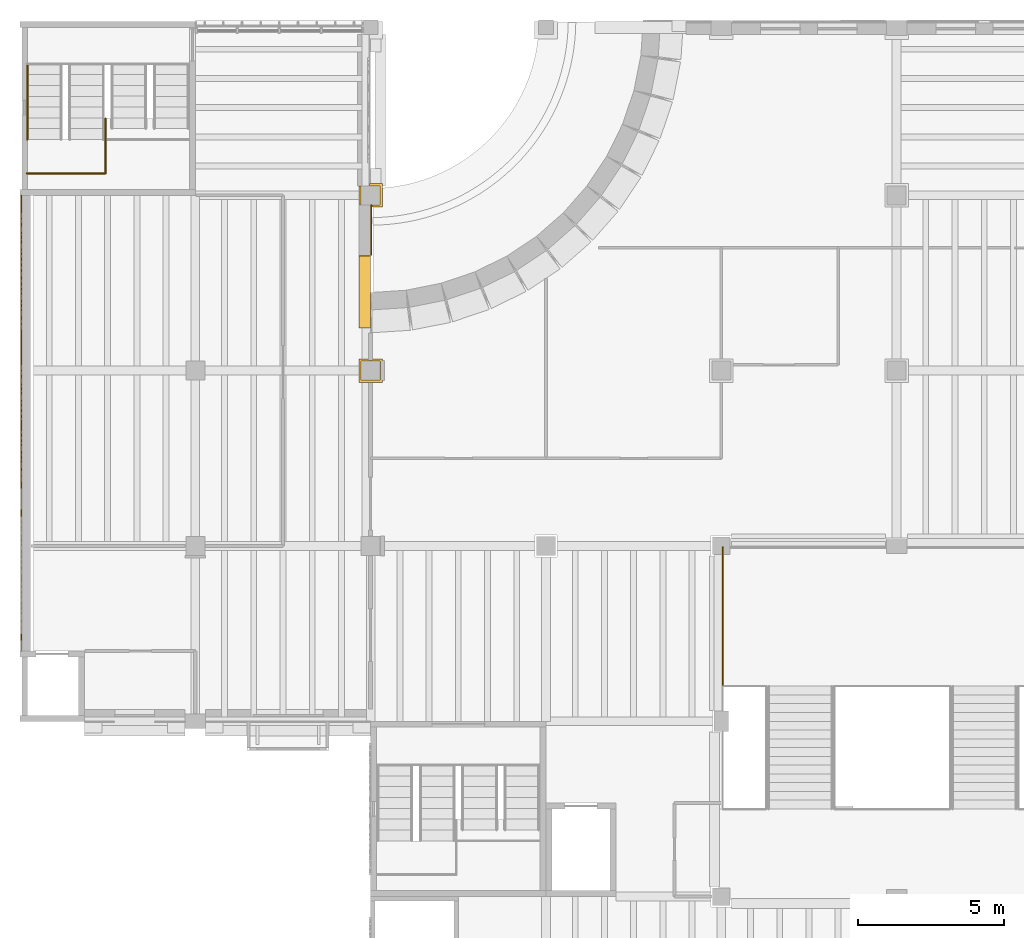
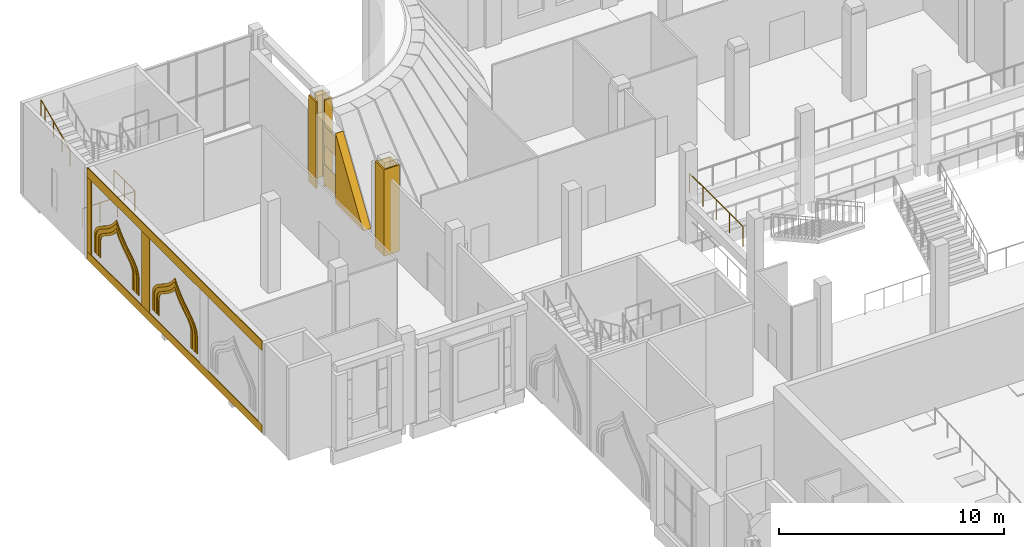
# One storey, part 75 of 80: 16 coverings, 4 railings.
"""IFC4 building model written with IfcOpenShell, lengths in metres."""

from ifc_helpers import new_model, si_unit, direction, frame, origin, origin_2d, place, context, subcontext, project, spatial, polyline, rectangle, circle, outline, extrude, material, layer, layer_set, type_object, element, save


model = new_model("IFC4")

# Units and contexts
model_context = context("Model", 3, precision=1e-05, world=origin(), true_north=direction((0.0, 1.0)))
body_context = subcontext(model_context, "Body", "Model", "MODEL_VIEW")
ifc_project = project(units=[si_unit("LENGTHUNIT", "METRE"), si_unit("AREAUNIT", "SQUARE_METRE"), si_unit("VOLUMEUNIT", "CUBIC_METRE"), si_unit("PLANEANGLEUNIT", "RADIAN"), si_unit("MASSUNIT", "GRAM", prefix="KILO")], contexts=[model_context])

# Site, building, storey
site_placement = place(None, origin())
site = spatial("IfcSite", under=ifc_project, at=site_placement, CompositionType="ELEMENT")
building_placement = place(site_placement, origin())
building = spatial("IfcBuilding", under=site, at=building_placement, Name="Saffron Lane Theatres", CompositionType="ELEMENT")
storey_placement = place(building_placement, frame((0.0, 0.0, 7.0)))
storey = spatial("IfcBuildingStorey", under=building, at=storey_placement, Name="L01", CompositionType="ELEMENT", Elevation=7.0)

# Coverings
ifc_material_1 = material(Name="Masonry pale clay brick", Category="masonry")
ifc_layer_1 = layer(ifc_material_1, 0.39990234375)
ifc_layer_set_1 = layer_set([ifc_layer_1], Name="Masonry pale clay brick")
covering_type_1 = type_object("IfcCoveringType", Name="EX-END INFILL CLADDING BRICK 400", PredefinedType="CLADDING", material=ifc_layer_set_1)
covering_1_placement = place(storey_placement, frame((12.0, 117.947265625, 0.25), z_axis=(1.0, 0.0, 0.0), x_axis=(0.0, 0.0, 1.0)))
element("IfcCovering", 1, at=covering_1_placement, inside=storey, type_object=covering_type_1, Name="Wall end infill L01 05", PredefinedType="CLADDING", context=body_context, shape_type="SweptSolid", body=[
    extrude(outline(polyline([(0.0, 0.0), (3.800048828125, 0.0), (3.800048828125, 0.02001953125), (0.0, 2.491943359375), (0.0, 0.0)])), origin(), (0.0, 0.0, -1.0), 0.39990234375),
])
ifc_material_2 = material(Name="Face brick cladding, pale buff", Category="masonry")
ifc_layer_2 = layer(ifc_material_2, 0.0400390625)
ifc_layer_set_2 = layer_set([ifc_layer_2], Name="Face brick cladding, pale buff")
covering_type_2 = type_object("IfcCoveringType", Name="EX-FACE BRICK CLADDING PALE BUFF 40", PredefinedType="CLADDING", material=ifc_layer_set_2)
for number, where, z_axis, x_axis, name in (
    (2, (12.02001953125, 118.81103515625, 0.14990234375), (0.0, 0.0, 1.0), (0.0, -1.0, 0.0), "Cladding course L01"),
    (3, (12.02001953125, 118.81103515625, 2.25), (0.0, 0.0, 1.0), (0.0, -1.0, 0.0), "Cladding course L01"),
):
    element("IfcCovering", number, at=place(storey_placement, frame(where, z_axis=z_axis, x_axis=x_axis)), inside=storey, type_object=covering_type_2, Name=name, PredefinedType="CLADDING", context=body_context, shape_type="SweptSolid", body=[
        extrude(rectangle(XDim=1.72802734375, YDim=0.0400390625, at=origin_2d()), origin(), (0.0, 0.0, 1.0), 1.050048828125),
    ])
ifc_material_3 = material(Name="Face brick cladding, pale buff", Category="masonry")
ifc_layer_3 = layer(ifc_material_3, 0.0400390625)
ifc_layer_set_3 = layer_set([ifc_layer_3], Name="Face brick cladding, pale buff")
covering_type_3 = type_object("IfcCoveringType", Name="EX-FACE BRICK SKIN PALE BUFF 40", PredefinedType="CLADDING", material=ifc_layer_set_3)
covering_2_placement = place(storey_placement, frame((0.0400390625, 112.199951171875, 0.0), z_axis=(0.0, 0.0, 1.0), x_axis=(0.0, 1.0, 0.0)))
element("IfcCovering", 4, at=covering_2_placement, inside=storey, type_object=covering_type_3, Name="Face brick cladding, pale buff L01", PredefinedType="CLADDING", context=body_context, shape_type="SweptSolid", body=[
    extrude(rectangle(XDim=15.60009765625, YDim=0.0400390625, at=origin_2d()), origin(), (0.0, 0.0, 1.0), 0.449951171875),
])
covering_3_placement = place(storey_placement, frame((0.0400390625, 112.199951171875, 4.5), z_axis=(0.0, 0.0, 1.0), x_axis=(0.0, 1.0, 0.0)))
element("IfcCovering", 5, at=covering_3_placement, inside=storey, type_object=covering_type_3, Name="Face brick cladding, pale buff L01", PredefinedType="CLADDING", context=body_context, shape_type="SweptSolid", body=[
    extrude(rectangle(XDim=15.60009765625, YDim=0.0400390625, at=origin_2d()), origin(), (0.0, 0.0, 1.0), 0.5),
])
covering_4_placement = place(storey_placement, frame((0.0400390625, 114.800048828125, 0.4501953125), z_axis=(0.0, 0.0, 1.0), x_axis=(0.0, 1.0, 0.0)))
element("IfcCovering", 6, at=covering_4_placement, inside=storey, type_object=covering_type_3, Name="Face brick cladding, pale buff L01", PredefinedType="CLADDING", context=body_context, shape_type="SweptSolid", body=[
    extrude(rectangle(XDim=0.699951171875, YDim=0.0400390625, at=origin_2d()), origin(), (0.0, 0.0, 1.0), 4.050048828125),
])
covering_5_placement = place(storey_placement, frame((0.0400390625, 119.824951171875, 0.4501953125), z_axis=(0.0, 0.0, 1.0), x_axis=(0.0, 1.0, 0.0)))
element("IfcCovering", 7, at=covering_5_placement, inside=storey, type_object=covering_type_3, Name="Face brick cladding, pale buff L01", PredefinedType="CLADDING", context=body_context, shape_type="SweptSolid", body=[
    extrude(rectangle(XDim=0.35009765625, YDim=0.0400390625, at=origin_2d()), origin(), (0.0, 0.0, 1.0), 4.050048828125),
])
ifc_material_4 = material(Name="Face brick cladding, pale buff", Category="masonry")
ifc_layer_4 = layer(ifc_material_4, 0.0400390625)
ifc_layer_set_4 = layer_set([ifc_layer_4], Name="Face brick cladding, pale buff")
covering_type_4 = type_object("IfcCoveringType", Name="EX-NICHE FRAME RING FACE BRICK PALE BUFF", PredefinedType="CLADDING", material=ifc_layer_set_4)
covering_6_placement = place(storey_placement, frame((0.06005859375, 110.669921875, 1.779052734375), z_axis=(1.0, 0.0, 0.0), x_axis=(0.0, -0.07860220859, -0.996906060171)))
element("IfcCovering", 8, at=covering_6_placement, inside=storey, type_object=covering_type_4, Name="Court wall niche ring", PredefinedType="CLADDING", context=body_context, shape_type="SweptSolid", body=[
    extrude(outline(polyline([(0.0, 0.0), (0.12734712935568301, 0.0), (0.9767617167568374, 0.0669730732373987), (0.967320240529674, 0.18671862538678782), (0.12204320269465704, 0.12007178201902688), (0.010592875767061343, 0.12034559044619773), (-0.08499107189102162, 0.13680919972095837), (-0.17081246198683145, 0.1692262453036143), (-0.2496192078125393, 0.215175979868819), (-0.32465207782922384, 0.2753824745906466), (-0.3966604178350056, 0.3500315447606985), (-0.4695323074957109, 0.4356329520175847), (-0.5444654831619896, 0.5318473611310508), (-0.6230485017600262, 0.6370801305431976), (-0.707036545515275, 0.7487438876294084), (-0.799536052942493, 0.8658590066835835), (-0.9023405862517979, 0.986324885618299), (-1.0182556287123556, 1.1084509329139975), (-1.1481395814445619, 1.2307000769897745), (-1.2952079382854487, 1.3503698052670239), (-1.4012003505647719, 1.4242985486517494), (-1.3080268531629793, 1.5129511646893652), (-1.1816261180632612, 1.6554073706903518), (-1.07248654704155, 1.796257701967196), (-0.9771623663528345, 1.935284047875348), (-0.8944881349994125, 2.0701293156981713), (-0.8214856597811334, 2.2002936295378572), (-0.7560351486182421, 2.3237400419156904), (-0.6949150230419914, 2.4399878669261943), (-0.636005490972626, 2.547000157090655), (-0.5774493355913188, 2.642964160206623), (-0.5180104405627566, 2.72773244096716), (-0.4533593563974855, 2.799197376555941), (-0.3827275473050532, 2.8569297664127684), (-0.3030277647630343, 2.9021526215123385), (-0.211224245594283, 2.9336359101510525), (-0.10119397809922812, 2.95137261160001), (0.7440830597357888, 3.018019454967771), (0.7346607735009572, 3.1375216218485633), (-0.11475381390019726, 3.0705485486111646), (-0.24052736388468637, 3.0505909565862663), (-0.35280145633676196, 3.01161608216072), (-0.4508520200823499, 2.9568646937956045), (-0.5363635620092929, 2.8859590762760012), (-0.6111034336064749, 2.8026782539454618), (-0.6779407727517719, 2.7092449895743025), (-0.7401547278909256, 2.606870124873789), (-0.8007810622010818, 2.496783691547519), (-0.8616769925010678, 2.380798441797943), (-0.927185073640954, 2.258082185225899), (-0.9984899366107739, 2.1312353998166182), (-1.0785505846183463, 2.0005145761993157), (-1.1694100497740998, 1.866983120778319), (-1.2741424752398438, 1.7323578357944192), (-1.3946949431643483, 1.5964852013089632), (-1.5886070073839378, 1.4095222545563921), (-1.3678097639077307, 1.25550244000552), (-1.227453223896981, 1.140201477299574), (-1.102916726344992, 1.0236531650920726), (-0.9922339991106616, 0.9057676380530715), (-0.8926955088864819, 0.78945241404511), (-0.8023733635160138, 0.6751043982754378), (-0.7184620797300917, 0.5644141822636122), (-0.6401224464006514, 0.45916222285913383), (-0.562992718685291, 0.35993732519256866), (-0.48552271964248905, 0.26882090135900855), (-0.40484939602608483, 0.186773387072222), (-0.3180006392676425, 0.11647810491848354), (-0.22243354135892388, 0.05984984169361529), (-0.11699483056565724, 0.020897901649148194), (0.0, 0.0)])), origin(), (0.0, 0.0, -1.0), 0.0400390625),
])
covering_7_placement = place(storey_placement, frame((0.06005859375, 110.412109375, 1.802978515625), z_axis=(1.0, 0.0, 0.0), x_axis=(0.0, -0.081693239445, -0.996657521232)))
element("IfcCovering", 9, at=covering_7_placement, inside=storey, type_object=covering_type_4, Name="Court wall niche ring", PredefinedType="CLADDING", context=body_context, shape_type="SweptSolid", body=[
    extrude(outline(polyline([(0.0, 0.0), (0.14942523191503276, 1.734723475976807e-18), (1.00057464824087, 0.06976634560047847), (0.9842200446409866, 0.2692925095190567), (0.14110033978992134, 0.20018433699028082), (0.01667371781646655, 0.20002876880969656), (-0.0871500925488424, 0.2174843164567917), (-0.18012401955032623, 0.2519965189802531), (-0.2656546074500094, 0.30328615144057053), (-0.34850862485810197, 0.3697376981162921), (-0.4304691224597618, 0.4521848448982412), (-0.5135864090965354, 0.5487448179085775), (-0.5987340599363188, 0.6581212156424322), (-0.6889157375427006, 0.7781081610776748), (-0.7856751569384014, 0.9066194450233932), (-0.8930690576017336, 1.0423427102638896), (-1.0119949482668373, 1.1812850401641677), (-1.1458194839186642, 1.3226805606044283), (-1.2970197886634405, 1.4638766346593246), (-1.468882738931972, 1.6031340898484787), (-1.5592838075622546, 1.6660275130092987), (-1.4803309614518905, 1.7428024045914834), (-1.3334586432695223, 1.9084306608535226), (-1.2072489706109093, 2.0721202982498195), (-1.0982555099369544, 2.2336638925395955), (-1.0035224658165562, 2.3898742904847263), (-0.9196632386262271, 2.5412740416148667), (-0.8451221465601241, 2.683826351090241), (-0.7756828930316433, 2.8168969794053904), (-0.7094826488014809, 2.938678942308913), (-0.6431986370894655, 3.0474849233806256), (-0.5757777809808727, 3.142421402814095), (-0.5048506574175733, 3.2214779610448487), (-0.4287937728227006, 3.28576750890322), (-0.3426808014777532, 3.3349589653895038), (-0.24310519912070672, 3.36933155544321), (-0.12031403750724023, 3.389439740015652), (0.722805667343825, 3.458547912544428), (0.7064710083824779, 3.6578307518728614), (-0.14467840794335934, 3.588064406272383), (-0.2921291206432842, 3.563975271848067), (-0.4257621877651612, 3.5177475886482985), (-0.5436709018649064, 3.4500275629616595), (-0.6450973666781348, 3.366511383554157), (-0.7324748281062927, 3.2669996040404268), (-0.810681744735394, 3.157216335680429), (-0.8822311410210304, 3.037935430449376), (-0.9519256859227777, 2.9109678615263785), (-1.0222385146191546, 2.7766008317063604), (-1.0959658654329707, 2.6360748975062887), (-1.1763507365902517, 2.490104076985768), (-1.26655235883517, 2.341368929564096), (-1.3694706826109242, 2.1893867949886916), (-1.488368650782077, 2.0351150159093025), (-1.6242155727814993, 1.8814136534920565), (-1.8721992304882198, 1.6403787078514327), (-1.5882753341388285, 1.4429427420514738), (-1.4292128528829864, 1.3134142815403969), (-1.286800155877367, 1.180806368839293), (-1.1605067157369011, 1.0476120837652179), (-1.0472690359823909, 0.9153073295698678), (-0.9441871661706377, 0.7843747665058253), (-0.8485606022438069, 0.657730300727118), (-0.757325847722701, 0.5368498354854427), (-0.6678661660313384, 0.42268273557513436), (-0.5778480344609556, 0.3166450703322802), (-0.4828277875456326, 0.22130570920037423), (-0.38049184721514234, 0.13832404610564847), (-0.2667196511478555, 0.07122230421363882), (-0.13935717838183623, 0.02360647417173422), (0.0, 0.0)])), origin(), (0.0, 0.0, -1.0), 0.0400390625),
])
covering_8_placement = place(storey_placement, frame((0.06005859375, 110.212890625, 1.81591796875), z_axis=(1.0, 0.0, 0.0), x_axis=(0.0, -0.079210598084, -0.996857904193)))
element("IfcCovering", 10, at=covering_8_placement, inside=storey, type_object=covering_type_4, Name="Court wall niche ring", PredefinedType="CLADDING", context=body_context, shape_type="SweptSolid", body=[
    extrude(outline(polyline([(0.0, 0.0), (0.16335507416867354, 0.0), (1.0137021242782236, 0.0675688060806689), (1.0026018109724697, 0.20726520183421263), (0.15833909865706358, 0.14017985887661663), (0.011931504999610506, 0.1395672290021718), (-0.11423558574229535, 0.1616251883826444), (-0.2258484296516488, 0.20394262432575838), (-0.32921539950943657, 0.2657733616717522), (-0.42787106684260745, 0.3453670814761876), (-0.5227502486483787, 0.4421596826158413), (-0.6178355864273849, 0.5538754220728979), (-0.7152594262107489, 0.6796101325877536), (-0.8163079623447591, 0.8170574214049793), (-0.9263467233009529, 0.9628520203101587), (-1.0466619034256186, 1.1146875365478628), (-1.1797065763613368, 1.272613958380628), (-1.3297180683331982, 1.4313963835996037), (-1.498848063897249, 1.5903740184569524), (-1.689804321420526, 1.7466376920241753), (-1.8342397504136703, 1.8475745755425927), (-1.707557087299763, 1.970054575825139), (-1.5436747646685685, 2.1545138187299737), (-1.4017927507209065, 2.338449461950575), (-1.278797178066359, 2.5196598326683595), (-1.1722849613248818, 2.695641868978211), (-1.0774772955735423, 2.8648160147595387), (-0.9918437530700687, 3.026158787702743), (-0.9137500460195598, 3.177595857351469), (-0.8374051984021744, 3.317138274661287), (-0.7611749224230115, 3.442711709175842), (-0.6827721638515647, 3.553273340060612), (-0.5979048647884331, 3.6472049341451607), (-0.5056188697114762, 3.7248272190409444), (-0.4020895292199017, 3.784239911015917), (-0.28098913200779985, 3.825945811718072), (-0.1363220055934092, 3.848462057651435), (0.7079407067219969, 3.915547400609031), (0.696859731941166, 4.055000422850808), (-0.15348731816838404, 3.98743161677014), (-0.31479250869522846, 3.9616340245229695), (-0.4595034204490672, 3.9119292720593015), (-0.5860131314721546, 3.8396695966124255), (-0.6960912992338517, 3.7486329432210543), (-0.7918589585525908, 3.640854965291698), (-0.8787170310492967, 3.519580156477461), (-0.95829980451887, 3.3868828472346983), (-1.036282223831615, 3.243291745537245), (-1.1165469539630926, 3.0914372556524468), (-1.2001448430600579, 2.932215517527675), (-1.2931795674415774, 2.7653864415516223), (-1.396914699028558, 2.594523276301084), (-1.5146301246234921, 2.420834862022656), (-1.6509886179997748, 2.244440513766335), (-1.8085979609993696, 2.067337207888783), (-2.0535192845146164, 1.8301505645870453), (-1.7742140636864248, 1.6346191039692692), (-1.5906330817153536, 1.4848717835454115), (-1.4281289026432882, 1.332225143894431), (-1.2844418380768778, 1.1790629318714494), (-1.1550251453922646, 1.0267260734970645), (-1.0368116615611085, 0.8766828371541032), (-0.9291373089351127, 0.7329045531305093), (-0.8258984111952106, 0.5956313110375898), (-0.7262181669189538, 0.46615733253386527), (-0.6266586972040081, 0.34744980412260273), (-0.5217577809542215, 0.2416571264593896), (-0.410151869723614, 0.1501121982525921), (-0.2870782132137173, 0.07760185173737502), (-0.1507445315297886, 0.026227783207247793), (0.0, 0.0)])), origin(), (0.0, 0.0, -1.0), 0.0400390625),
])
covering_9_placement = place(storey_placement, frame((0.06005859375, 115.8701171875, 1.779052734375), z_axis=(1.0, 0.0, 0.0), x_axis=(0.0, -0.07860220859, -0.996906060171)))
element("IfcCovering", 11, at=covering_9_placement, inside=storey, type_object=covering_type_4, Name="Court wall niche ring", PredefinedType="CLADDING", context=body_context, shape_type="SweptSolid", body=[
    extrude(outline(polyline([(0.0, 0.0), (0.12734712935568301, 0.0), (0.9767617167568374, 0.0669730732373987), (0.9673394305220057, 0.1864752401181915), (0.12206239268698868, 0.11982839675043055), (0.010612065759392976, 0.12010220517760141), (-0.08497188189869, 0.13656581445236204), (-0.1707932719944998, 0.16898286003501797), (-0.24960001782020766, 0.21493259460022268), (-0.3246328878368922, 0.2751390893220503), (-0.39664122784267397, 0.3497881594921022), (-0.46951311750337926, 0.4353895667489884), (-0.5444654831619896, 0.5318473611310508), (-0.6230293117676946, 0.6368367452746012), (-0.707036545515275, 0.7487438876294084), (-0.7995168629501613, 0.8656156214149872), (-0.9023213962594663, 0.9860815003497027), (-1.018236438720024, 1.1082075476454012), (-1.1481203914522302, 1.2304566917211783), (-1.2952846982547752, 1.351343346341409), (-1.4011811605724402, 1.424055163383153), (-1.3080844231399742, 1.5136813204951542), (-1.1816069280709296, 1.6551639854217555), (-1.07248654704155, 1.796257701967196), (-0.9771431763605029, 1.9350406626067516), (-0.8944689450070809, 2.069885930429575), (-0.8214664697888018, 2.200050244269261), (-0.7560351486182421, 2.3237400419156904), (-0.6948958330496597, 2.439744481657598), (-0.6359863009802944, 2.5467567718220585), (-0.5774301455989872, 2.642720774938027), (-0.5179912505704249, 2.727489055698564), (-0.45334016640515384, 2.7989539912873447), (-0.38270835731272157, 2.8566863811441725), (-0.3030277647630343, 2.9021526215123385), (-0.21120505560195135, 2.933392524882456), (-0.10117478810689648, 2.9511292263314135), (0.7441022497281204, 3.0177760696991744), (0.7346799634932888, 3.137278236579967), (-0.11473462390786562, 3.070305163342568), (-0.24050817389235477, 3.05034757131767), (-0.35278226634443033, 3.0113726968921237), (-0.4508328300900183, 2.956621308527008), (-0.5363443720169613, 2.885715691007405), (-0.6110842436141433, 2.802434868676866), (-0.6779215827594403, 2.709001604305706), (-0.7401547278909256, 2.606870124873789), (-0.8007810622010818, 2.496783691547519), (-0.8616578025087362, 2.3805550565293467), (-0.927185073640954, 2.258082185225899), (-0.9984707466184423, 2.130992014548022), (-1.0785313946260147, 2.0002711909307194), (-1.1693908597817682, 1.8667397355097228), (-1.2741232852475122, 1.7321144505258228), (-1.3946757531720166, 1.5962418160403669), (-1.5885878173916061, 1.4092788692877958), (-1.367790573915399, 1.2552590547369236), (-1.2274340339046494, 1.139958092030978), (-1.1028975363526603, 1.0234097798234763), (-0.9922339991106616, 0.9057676380530715), (-0.8926763188941502, 0.7892090287765138), (-0.8023541735236822, 0.6748610130068415), (-0.71844288973776, 0.5641707969950158), (-0.6401032564083198, 0.4589188375905376), (-0.5629735286929594, 0.35969393992397236), (-0.4855035296501574, 0.2685775160904122), (-0.40483020603375325, 0.18653000180362567), (-0.31798144927531086, 0.11623471964988721), (-0.22241435136659224, 0.05960645642501897), (-0.11697564057332561, 0.020654516380551876), (0.0, 0.0)])), origin(), (0.0, 0.0, -1.0), 0.0400390625),
])
covering_10_placement = place(storey_placement, frame((0.06005859375, 115.612060546875, 1.802978515625), z_axis=(1.0, 0.0, 0.0), x_axis=(0.0, -0.080069955876, -0.996789246614)))
element("IfcCovering", 12, at=covering_10_placement, inside=storey, type_object=covering_type_4, Name="Court wall niche ring", PredefinedType="CLADDING", context=body_context, shape_type="SweptSolid", body=[
    extrude(outline(polyline([(0.0, 0.0), (0.14940548541813506, 0.0), (1.0006673957348182, 0.06838005509101226), (0.9846573142255162, 0.26768923306395787), (0.14142617664766952, 0.19995427283229475), (0.016999466327598998, 0.2000013484002621), (-0.08679577791254421, 0.21762596231264783), (-0.17971337438829993, 0.2522895381562662), (-0.26516031759493225, 0.30371839932412054), (-0.34790600088031953, 0.3703047954864786), (-0.4297321148083785, 0.4528853153384889), (-0.5126920318225663, 0.5495805266708786), (-0.5976614372761738, 0.6590954524190548), (-0.6876671306113052, 0.7794724670574595), (-0.7842953191011652, 0.9091145917846245), (-0.8913898425539354, 1.0440391537614138), (-1.010069743072568, 1.1829316275941626), (-1.1436638218360429, 1.3245449096772277), (-1.2946339714708552, 1.465987044144547), (-1.4662894448269137, 1.6057675706408159), (-1.5565684158235504, 1.6685647825272933), (-1.4774906373847039, 1.7452109881969793), (-1.3303487686839142, 1.9105998257765027), (-1.2038726753752989, 2.074083698635314), (-1.0946162663054522, 2.2354495698810855), (-0.999628940621098, 2.3915054766383363), (-0.9155232521560439, 2.5427684522637257), (-0.8407500955677709, 2.685199173658359), (-0.7710942127957453, 2.818156535417801), (-0.7047152682888366, 2.940073878597917), (-0.6382345926816595, 3.048528407230354), (-0.5706592106464958, 3.143354957881735), (-0.49960342814567843, 3.222295898017083), (-0.42346148957693114, 3.286704849688206), (-0.3372685183016637, 3.335755995728218), (-0.2376175198246122, 3.3697230127441156), (-0.11479377248837902, 3.389631190648409), (0.7284373650894675, 3.4573661508800724), (0.7124272835801655, 3.6566753288530176), (-0.13883462673651784, 3.5882952737620055), (-0.2863243759056766, 3.5644463122951575), (-0.4200521014087196, 3.5186796844845962), (-0.5381295942355668, 3.4518818472118764), (-0.6396137472449062, 3.3675575366176176), (-0.727153159553138, 3.2681881936573878), (-0.8055387675646681, 3.158532440150801), (-0.8772823320923983, 3.039368219805792), (-0.9471835663415419, 2.9125143251169647), (-1.0177151344668585, 2.778261986292929), (-1.0916907990181253, 2.638099668961536), (-1.1722937460700156, 2.49201660159452), (-1.262737481554538, 2.3434285554879537), (-1.3659031898094909, 2.191614237193659), (-1.4851304435421167, 2.038509729180666), (-1.6211688613304724, 1.8842997432114224), (-1.8695251958885175, 1.6434256313417468), (-1.5859232240151222, 1.4455275235713483), (-1.4270914545297624, 1.3159835394350303), (-1.2848753658094205, 1.1829005098458452), (-1.1587990158830366, 1.0495007175366087), (-1.0457965086503642, 0.9172550745335545), (-0.9429084664573206, 0.7859114472862138), (-0.8474882849149616, 0.6591114102387047), (-0.7564505195939699, 0.5380825186675995), (-0.6671768912352799, 0.42376987444166636), (-0.5773511223167018, 0.3178291013495876), (-0.48246672456908984, 0.22209175814168597), (-0.3802660654574678, 0.13894353885562877), (-0.26662285176585004, 0.07189995116029968), (-0.13931854761740256, 0.02383340259268949), (0.0, 0.0)])), origin(), (0.0, 0.0, -1.0), 0.0400390625),
])
covering_11_placement = place(storey_placement, frame((0.06005859375, 115.4130859375, 1.81591796875), z_axis=(1.0, 0.0, 0.0), x_axis=(0.0, -0.080695495119, -0.996738800824)))
element("IfcCovering", 13, at=covering_11_placement, inside=storey, type_object=covering_type_4, Name="Court wall niche ring", PredefinedType="CLADDING", context=body_context, shape_type="SweptSolid", body=[
    extrude(outline(polyline([(0.0, 0.0), (0.16337459396627063, 0.0), (1.0136200456454745, 0.06883546385408847), (1.0023116437415687, 0.208515168852332), (0.15814980290723613, 0.14017223121357045), (0.011743284310327751, 0.13934150366371906), (-0.11445652542576873, 0.1612114917954016), (-0.22613228432322507, 0.2033626149715454), (-0.3296109476607074, 0.26528264592821055), (-0.4283653725076208, 0.34448596903204715), (-0.5233886376477577, 0.44113712452239784), (-0.6186402890181127, 0.5527110946686866), (-0.7162513233770006, 0.6783005367320113), (-0.8175044978896725, 0.8155971445165398), (-0.927760321950053, 0.9612276606986332), (-1.0483015527233936, 1.112883779082459), (-1.181581335596256, 1.270611833615682), (-1.3318291938384808, 1.4291706156987563), (-1.501195825256995, 1.5878961270265743), (-1.692404352571207, 1.7441185106778312), (-1.8369702824597267, 1.8445967772783889), (-1.71054901834385, 1.9682387342028875), (-1.546882556990719, 2.1522118689968304), (-1.4052550020194159, 2.33611532045216), (-1.2825295086896589, 2.51750871238049), (-1.1762992655625502, 2.6938925654475954), (-1.081724016861244, 2.862964410805381), (-0.9963309161505657, 3.0244345700723874), (-0.9184825873902284, 3.17623114963614), (-0.8423259949709807, 3.3156437959754066), (-0.7662828659983749, 3.441330648779096), (-0.688044894276579, 3.552008950881957), (-0.6033176160421759, 3.6460668646400527), (-0.5111473546085994, 3.723826538681631), (-0.4077066340314089, 3.7833933888317346), (-0.2866684990319384, 3.8252796423543027), (-0.14203507481020688, 3.8480113689456905), (0.7021267660241256, 3.916354306584452), (0.6908380651688328, 4.055790667148901), (-0.15940738651037084, 3.986955203294812), (-0.3206739682750423, 3.9609173488787635), (-0.46533037705348906, 3.911240425132424), (-0.5917323049549863, 3.8387923726974713), (-0.7016747364087256, 3.7475918406567383), (-0.7972620352739701, 3.63942797609168), (-0.8839393524868342, 3.518023912355933), (-0.9633243630389914, 3.385208198628179), (-1.0410927931021756, 3.2415010885254953), (-1.1211312217666665, 3.089527199524225), (-1.204491830962096, 2.930181105165095), (-1.297277932581948, 2.7632136236665725), (-1.4007781211392112, 2.5924394617749242), (-1.518214977419058, 2.4183325391595636), (-1.654310550906656, 2.2417352580658165), (-1.811655894328858, 2.0643973634779114), (-2.0562236173088864, 1.826846132478007), (-1.7766471309434215, 1.631974304624464), (-1.592823578185245, 1.4822572801920917), (-1.4300921869727679, 1.3298528867952022), (-1.2861771213569466, 1.1769048903902852), (-1.156553342338744, 1.0250043330699639), (-1.0381952796191192, 0.8761107395027714), (-0.9302083596573445, 0.7312762916183397), (-0.826765085240519, 0.5941569932713291), (-0.7268920786334632, 0.4648316486561913), (-0.6271755859126112, 0.34651590670766114), (-0.522097489295134, 0.24063626927901854), (-0.4103553305671669, 0.14925769813230078), (-0.28717379444544044, 0.07693077066289492), (-0.1507637338485004, 0.02575985073006436), (0.0, 0.0)])), origin(), (0.0, 0.0, -1.0), 0.0400390625),
])
ifc_material_5 = material(Name="Face brick cladding, pale buff", Category="masonry")
ifc_layer_5 = layer(ifc_material_5, 0.10009765625)
ifc_layer_set_5 = layer_set([ifc_layer_5], Name="Face brick cladding, pale buff")
covering_type_5 = type_object("IfcCoveringType", Name="EX-PIER CASING FACE BRICK PALE BUFF 800", PredefinedType="CLADDING", material=ifc_layer_set_5)
covering_12_placement = place(storey_placement, origin())
element("IfcCovering", 14, at=covering_12_placement, inside=storey, type_object=covering_type_5, Name="Pier casing L01 23", PredefinedType="CLADDING", context=body_context, shape_type="SweptSolid", body=[
    extrude(outline(polyline([(12.39990234375, 114.39990234375), (11.60009765625, 114.39990234375), (11.60009765625, 113.60009765625), (12.39990234375, 113.60009765625), (12.39990234375, 114.39990234375)]), holes=[polyline([(11.675048828125, 114.324951171875), (12.324951171875, 114.324951171875), (12.324951171875, 113.675048828125), (11.675048828125, 113.675048828125), (11.675048828125, 114.324951171875)])]), origin(), (0.0, 0.0, 1.0), 4.699951171875),
])
covering_13_placement = place(storey_placement, origin())
element("IfcCovering", 15, at=covering_13_placement, inside=storey, type_object=covering_type_5, Name="Pier casing L01 29", PredefinedType="CLADDING", context=body_context, shape_type="SweptSolid", body=[
    extrude(outline(polyline([(12.39990234375, 120.39990234375), (11.9541015625, 120.39990234375), (11.9541015625, 120.324951171875), (12.324951171875, 120.324951171875), (12.324951171875, 119.675048828125), (12.004150390625, 119.675048828125), (12.004150390625, 119.60009765625), (12.39990234375, 119.60009765625), (12.39990234375, 120.39990234375)])), origin(), (0.0, 0.0, 1.0), 4.699951171875),
])
covering_14_placement = place(storey_placement, origin())
element("IfcCovering", 16, at=covering_14_placement, inside=storey, type_object=covering_type_5, Name="Pier casing L01 30", PredefinedType="CLADDING", context=body_context, shape_type="SweptSolid", body=[
    extrude(outline(polyline([(11.60009765625, 120.321044921875), (11.60009765625, 119.678955078125), (11.60009765625, 119.678955078125), (11.675048828125, 119.678955078125), (11.675048828125, 120.321044921875), (11.60009765625, 120.321044921875)])), origin(), (0.0, 0.0, 1.0), 4.699951171875),
])

# Railings
ifc_material_6 = material(Name="Steel Grade 350", Category="steel")
railing_type_1 = type_object("IfcRailingType", Name="VC-GUARD 1100", PredefinedType="GUARDRAIL", material=ifc_material_6)
railing_1_placement = place(storey_placement, frame((2.89990234375, 120.75, 1.166748046875)))
element("IfcRailing", 17, at=railing_1_placement, inside=storey, type_object=railing_type_1, Name="West Wing Street Stair landing guard 2N1s", PredefinedType="GUARDRAIL", context=body_context, shape_type="SweptSolid", body=[
    extrude(circle(Radius=0.02392578125, at=origin_2d()), frame((0.0, 0.0, 1.076171875), z_axis=(-1.0, 0.0, 0.0), x_axis=(0.0, -1.0, 0.0)), (0.0, 0.0, 1.0), 2.669921875),
    extrude(circle(Radius=0.02099609375, at=origin_2d()), origin(), (0.0, 0.0, 1.0), 1.052001953125),
    extrude(circle(Radius=0.02099609375, at=origin_2d()), frame((-0.889892578125, 0.0, 0.0)), (0.0, 0.0, 1.0), 1.052001953125),
    extrude(circle(Radius=0.02099609375, at=origin_2d()), frame((-1.780029296875, 0.0, 0.0)), (0.0, 0.0, 1.0), 1.052001953125),
    extrude(circle(Radius=0.02099609375, at=origin_2d()), frame((-2.669921875, 0.0, 0.0)), (0.0, 0.0, 1.0), 1.052001953125),
])
railing_2_placement = place(storey_placement, frame((2.929931640625, 122.6298828125, 1.166748046875)))
element("IfcRailing", 18, at=railing_2_placement, inside=storey, type_object=railing_type_1, Name="West Wing Street Stair landing guard 2N1e", PredefinedType="GUARDRAIL", context=body_context, shape_type="SweptSolid", body=[
    extrude(circle(Radius=0.02392578125, at=origin_2d()), frame((0.0, 0.0, 1.076171875), z_axis=(0.0, -1.0, 0.0), x_axis=(1.0, 0.0, 0.0)), (0.0, 0.0, 1.0), 1.8798828125),
    extrude(circle(Radius=0.02099609375, at=origin_2d()), origin(), (0.0, 0.0, 1.0), 1.052001953125),
    extrude(circle(Radius=0.02099609375, at=origin_2d()), frame((0.0, -0.93994140625, 0.0)), (0.0, 0.0, 1.0), 1.052001953125),
    extrude(circle(Radius=0.02099609375, at=origin_2d()), frame((0.0, -1.8798828125, 0.0)), (0.0, 0.0, 1.0), 1.052001953125),
])
railing_3_placement = place(storey_placement, frame((24.050048828125, 103.199951171875, 2.5)))
element("IfcRailing", 19, at=railing_3_placement, inside=storey, type_object=railing_type_1, Name="Grand Stair landing guard 2m-west", PredefinedType="GUARDRAIL", context=body_context, shape_type="SweptSolid", body=[
    extrude(circle(Radius=0.02392578125, at=origin_2d()), frame((0.0, 0.0, 1.076171875), z_axis=(0.0, 1.0, 0.0), x_axis=(-1.0, 0.0, 0.0)), (0.0, 0.0, 1.0), 4.75),
    extrude(circle(Radius=0.02099609375, at=origin_2d()), origin(), (0.0, 0.0, 1.0), 1.052001953125),
    extrude(circle(Radius=0.02099609375, at=origin_2d()), frame((0.0, 1.1875, 0.0)), (0.0, 0.0, 1.0), 1.052001953125),
    extrude(circle(Radius=0.02099609375, at=origin_2d()), frame((0.0, 2.375, 0.0)), (0.0, 0.0, 1.0), 1.052001953125),
    extrude(circle(Radius=0.02099609375, at=origin_2d()), frame((0.0, 3.5625, 0.0)), (0.0, 0.0, 1.0), 1.052001953125),
    extrude(circle(Radius=0.02099609375, at=origin_2d()), frame((0.0, 4.75, 0.0)), (0.0, 0.0, 1.0), 1.052001953125),
])
ifc_material_7 = material(Name="Steel Grade 350", Category="steel")
railing_type_2 = type_object("IfcRailingType", Name="VC-HANDRAIL 900", PredefinedType="HANDRAIL", material=ifc_material_7)
railing_4_placement = place(storey_placement, frame((0.25, 121.909912109375, 3.833251953125)))
element("IfcRailing", 20, at=railing_4_placement, inside=storey, type_object=railing_type_2, Name="West Wing Street Stair handrail 2.4b", PredefinedType="HANDRAIL", context=body_context, shape_type="SweptSolid", body=[
    extrude(circle(Radius=0.02392578125, at=origin_2d()), frame((0.0, 0.0, 0.8759765625), z_axis=(0.0, 0.911690610408, 0.410877391559), x_axis=(-1.0, 0.0, 0.0)), (0.0, 0.0, 1.0), 0.811767578125),
    extrude(circle(Radius=0.02392578125, at=origin_2d()), frame((0.0, 0.739990234375, 1.20947265625), z_axis=(0.0, 0.911803263409, 0.410627335715), x_axis=(-1.0, 0.0, 0.0)), (0.0, 0.0, 1.0), 0.8115234375),
    extrude(circle(Radius=0.02392578125, at=origin_2d()), frame((0.0, 1.47998046875, 1.54248046875), z_axis=(0.0, 0.911803263409, 0.410627335715), x_axis=(-1.0, 0.0, 0.0)), (0.0, 0.0, 1.0), 0.8115234375),
    extrude(circle(Radius=0.02392578125, at=origin_2d()), frame((0.0, 2.219970703125, 1.8759765625), z_axis=(0.0, 0.911741368748, 0.410764745947), x_axis=(-1.0, 0.0, 0.0)), (0.0, 0.0, 1.0), 0.406005859375),
    extrude(circle(Radius=0.02099609375, at=origin_2d()), origin(), (0.0, 0.0, 1.0), 0.851806640625),
    extrude(circle(Radius=0.02099609375, at=origin_2d()), frame((0.0, 0.739990234375, 0.33349609375)), (0.0, 0.0, 1.0), 0.851806640625),
    extrude(circle(Radius=0.02099609375, at=origin_2d()), frame((0.0, 1.47998046875, 0.666748046875)), (0.0, 0.0, 1.0), 0.851806640625),
    extrude(circle(Radius=0.02099609375, at=origin_2d()), frame((0.0, 2.219970703125, 1.0)), (0.0, 0.0, 1.0), 0.851806640625),
    extrude(circle(Radius=0.02099609375, at=origin_2d()), frame((0.0, 2.590087890625, 1.166748046875)), (0.0, 0.0, 1.0), 0.851806640625),
])

save(model, "model.ifc")
